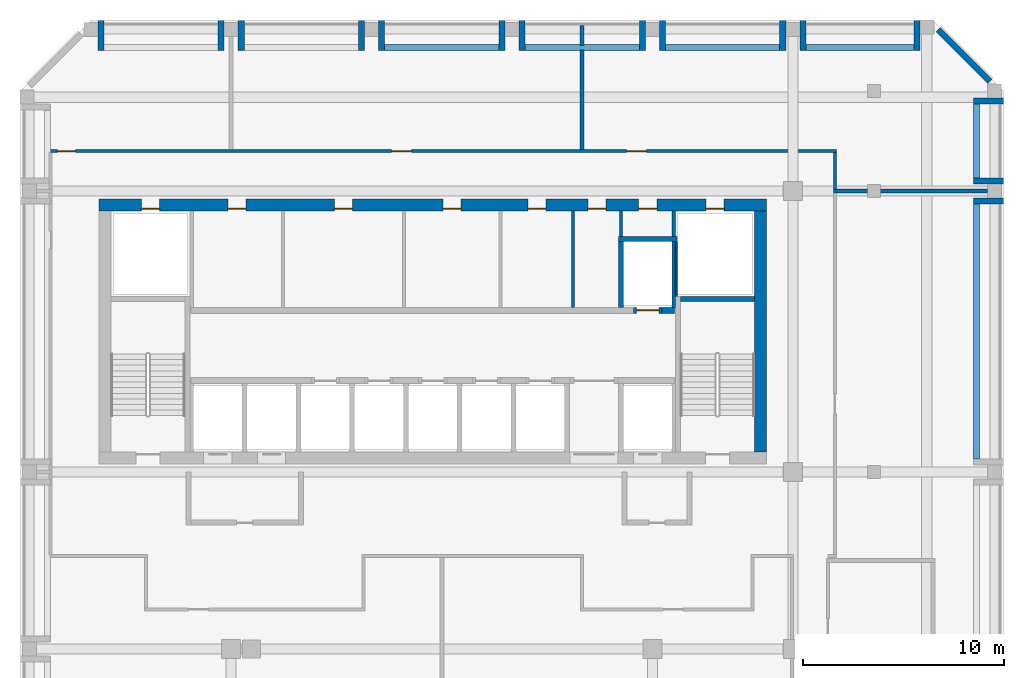
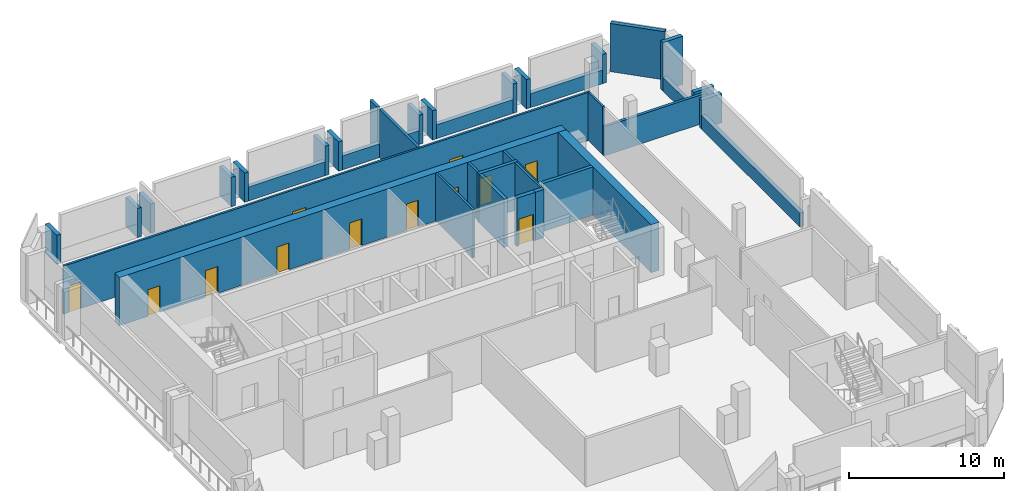
# One storey, part 5 of 7: 39 walls, 12 doors, 12 openings.
"""IFC4 building model written with IfcOpenShell, lengths in metres."""

from ifc_helpers import new_model, si_unit, direction, frame, frame_2d, origin, place, context, subcontext, project, spatial, rectangle, extrude, source, transform, mapped, material, layer, layer_set, type_object, element, fill, save


model = new_model("IFC4")

# Units and contexts
model_context = context("Model", 3, precision=1e-05, world=origin(), true_north=direction((0.0, 1.0)))
body_context = subcontext(model_context, "Body", "Model", "MODEL_VIEW")
ifc_project = project(units=[si_unit("LENGTHUNIT", "METRE"), si_unit("AREAUNIT", "SQUARE_METRE"), si_unit("VOLUMEUNIT", "CUBIC_METRE"), si_unit("PLANEANGLEUNIT", "RADIAN"), si_unit("MASSUNIT", "GRAM", prefix="KILO")], contexts=[model_context])

# Site, building, storey
site_placement = place(None, origin())
site = spatial("IfcSite", under=ifc_project, at=site_placement, CompositionType="ELEMENT")
building_placement = place(site_placement, origin())
building = spatial("IfcBuilding", under=site, at=building_placement, Name="Kilnfold Tower and Market Hall", CompositionType="ELEMENT")
storey_placement = place(building_placement, frame((0.0, 0.0, 262.800048828125)))
storey = spatial("IfcBuildingStorey", under=building, at=storey_placement, Name="L64 Plant Transfer Level", CompositionType="ELEMENT", Elevation=262.800048828125)

# Wall
ifc_material_1 = material(Name="Gypsum board on steel studs", Category="steel")
ifc_layer_1 = layer(ifc_material_1, 0.14990234375)
ifc_layer_set_1 = layer_set([ifc_layer_1], Name="Gypsum board on steel studs")
wall_type_1 = type_object("IfcWallType", Name="WALL CORRIDOR 150", PredefinedType="PARTITIONING", material=ifc_layer_set_1)
wall_1_placement = place(storey_placement, frame((21.10009765625, 22.090087890625, 0.0), z_axis=(0.0, 0.0, 1.0), x_axis=(0.0, 1.0, 0.0)))
element("IfcWall", 1, at=wall_1_placement, inside=storey, type_object=wall_type_1, Name="Partition LY40.16", PredefinedType="PARTITIONING", context=body_context, shape_type="SweptSolid", body=[
    extrude(rectangle(XDim=1.8349609375, YDim=0.14990234375, at=frame_2d((0.91748046875, 0.0))), origin(), (0.0, 0.0, 1.0), 3.800048828125),
])

# Wall, openings, doors
wall_2_placement = place(storey_placement, frame((-18.074951171875, 24.0, 0.0), z_axis=(0.0, 0.0, 1.0), x_axis=(1.0, 0.0, 0.0)))
wall_2 = element("IfcWall", 2, at=wall_2_placement, inside=storey, type_object=wall_type_1, Name="Partition LY40.18", PredefinedType="PARTITIONING", context=body_context, shape_type="SweptSolid", body=[
    extrude(rectangle(XDim=39.25, YDim=0.14990234375, at=frame_2d((19.625, 0.0))), origin(), (0.0, 0.0, 1.0), 3.800048828125),
])
opening_1_placement = place(wall_2_placement, frame((0.402099609375, 0.0, 0.0)))
opening_1 = element("IfcOpeningElement", 3, at=opening_1_placement, cuts=wall_2, Name="Opening D2", PredefinedType="OPENING", context=body_context, shape_type="SweptSolid", body=[
    extrude(rectangle(XDim=0.89990234375, YDim=2.10009765625, at=frame_2d((0.449951171875, 1.050048828125))), frame((0.0, 0.0849609375, 0.0), z_axis=(0.0, -1.0, 0.0), x_axis=(1.0, 0.0, 0.0)), (0.0, 0.0, 1.0), 0.169921875),
])
opening_2_placement = place(wall_2_placement, frame((17.074951171875, 0.0, 0.0)))
opening_2 = element("IfcOpeningElement", 4, at=opening_2_placement, cuts=wall_2, Name="Opening D4", PredefinedType="OPENING", context=body_context, shape_type="SweptSolid", body=[
    extrude(rectangle(XDim=1.0, YDim=2.10009765625, at=frame_2d((0.5, 1.050048828125))), frame((0.0, 0.0849609375, 0.0), z_axis=(0.0, -1.0, 0.0), x_axis=(1.0, 0.0, 0.0)), (0.0, 0.0, 1.0), 0.169921875),
])
opening_3_placement = place(wall_2_placement, frame((28.780029296875, 0.0, 0.0)))
opening_3 = element("IfcOpeningElement", 5, at=opening_3_placement, cuts=wall_2, Name="Opening D4", PredefinedType="OPENING", context=body_context, shape_type="SweptSolid", body=[
    extrude(rectangle(XDim=1.0, YDim=2.10009765625, at=frame_2d((0.5, 1.050048828125))), frame((0.0, 0.0849609375, 0.0), z_axis=(0.0, -1.0, 0.0), x_axis=(1.0, 0.0, 0.0)), (0.0, 0.0, 1.0), 0.169921875),
])
ifc_material_2 = material(Name="Timber veneer door leaf in steel frame", Category="steel")
door_type_1 = type_object("IfcDoorType", Name="DOOR ROOM 900 X2100", OperationType="NOTDEFINED", PredefinedType="DOOR", material=ifc_material_2)
door_1_placement = place(opening_1_placement, origin())
door_1 = element("IfcDoor", 6, at=door_1_placement, inside=storey, type_object=door_type_1, Name="Door D2", OperationType="SINGLE_SWING_RIGHT", OverallHeight=2.10009765625, OverallWidth=0.89990234375, PredefinedType="DOOR", context=body_context, shape_type="SweptSolid", body=[
    extrude(rectangle(XDim=0.89990234375, YDim=2.10009765625, at=frame_2d((0.449951171875, 1.050048828125))), frame((0.0, 0.02490234375, 0.0), z_axis=(0.0, -1.0, 0.0), x_axis=(1.0, 0.0, 0.0)), (0.0, 0.0, 1.0), 0.050048828125),
])
fill(opening_1, door_1)
ifc_material_3 = material(Name="Timber veneer door leaf in steel frame", Category="steel")
door_type_2 = type_object("IfcDoorType", Name="DOOR SERVICE 1000 X2100", OperationType="NOTDEFINED", PredefinedType="DOOR", material=ifc_material_3)
door_2_placement = place(opening_2_placement, origin())
door_2 = element("IfcDoor", 7, at=door_2_placement, inside=storey, type_object=door_type_2, Name="Door D4", OperationType="SINGLE_SWING_RIGHT", OverallHeight=2.10009765625, OverallWidth=1.0, PredefinedType="DOOR", context=body_context, shape_type="SweptSolid", body=[
    extrude(rectangle(XDim=1.0, YDim=2.10009765625, at=frame_2d((0.5, 1.050048828125))), frame((0.0, 0.02490234375, 0.0), z_axis=(0.0, -1.0, 0.0), x_axis=(1.0, 0.0, 0.0)), (0.0, 0.0, 1.0), 0.050048828125),
])
fill(opening_2, door_2)
door_3_placement = place(opening_3_placement, origin())
door_3 = element("IfcDoor", 8, at=door_3_placement, inside=storey, type_object=door_type_2, Name="Door D4", OperationType="SINGLE_SWING_LEFT", OverallHeight=2.10009765625, OverallWidth=1.0, PredefinedType="DOOR", context=body_context, shape_type="SweptSolid", body=[
    extrude(rectangle(XDim=1.0, YDim=2.10009765625, at=frame_2d((0.5, 1.050048828125))), frame((0.0, 0.02490234375, 0.0), z_axis=(0.0, -1.0, 0.0), x_axis=(1.0, 0.0, 0.0)), (0.0, 0.0, 1.0), 0.050048828125),
])
fill(opening_3, door_3)

# Walls
ifc_material_4 = material(Name="Gypsum board on steel studs", Category="steel")
ifc_layer_2 = layer(ifc_material_4, 0.199951171875)
ifc_layer_set_2 = layer_set([ifc_layer_2], Name="Gypsum board on steel studs")
wall_type_2 = type_object("IfcWallType", Name="WALL PARTY 200", PredefinedType="PARTITIONING", material=ifc_layer_set_2)
wall_3_placement = place(storey_placement, frame((21.027099609375, 22.0, 0.0), z_axis=(0.0, 0.0, 1.0), x_axis=(1.0, 0.0, 0.0)))
element("IfcWall", 9, at=wall_3_placement, inside=storey, type_object=wall_type_2, Name="Partition LY40.29", PredefinedType="PARTITIONING", context=body_context, shape_type="SweptSolid", body=[
    extrude(rectangle(XDim=7.6728515625, YDim=0.199951171875, at=frame_2d((3.83642578125, 0.0))), origin(), (0.0, 0.0, 1.0), 2.300048828125),
])
wall_4_placement = place(storey_placement, frame((8.5, 24.076904296875, 0.0), z_axis=(0.0, 0.0, 1.0), x_axis=(0.0, 1.0, 0.0)))
element("IfcWall", 10, at=wall_4_placement, inside=storey, type_object=wall_type_2, Name="Partition LY40.30", PredefinedType="PARTITIONING", context=body_context, shape_type="SweptSolid", body=[
    extrude(rectangle(XDim=4.953125, YDim=0.199951171875, at=frame_2d((2.4765625, 0.0))), origin(), (0.0, 0.0, 1.0), 3.800048828125),
])
wall_5_placement = place(storey_placement, frame((8.5, 29.27001953125, 0.0), z_axis=(0.0, 0.0, 1.0), x_axis=(0.0, 1.0, 0.0)))
element("IfcWall", 11, at=wall_5_placement, inside=storey, type_object=wall_type_2, Name="Partition LY40.31", PredefinedType="PARTITIONING", context=body_context, shape_type="SweptSolid", body=[
    extrude(rectangle(XDim=0.97998046875, YDim=0.199951171875, at=frame_2d((0.489990234375, 0.0))), origin(), (0.0, 0.0, 1.0), 3.800048828125),
])
ifc_material_5 = material(Name="Concrete C50", Category="concrete")
ifc_layer_3 = layer(ifc_material_5, 0.25)
ifc_layer_set_3 = layer_set([ifc_layer_3], Name="Concrete C50")
wall_type_3 = type_object("IfcWallType", Name="CORE WALL 250 C50", PredefinedType="SHEAR", material=ifc_layer_set_3)
shared_shape_1 = source(origin(), body_context, "Body", "SweptSolid", [
    extrude(rectangle(XDim=3.7001953125, YDim=0.25, at=frame_2d((1.85009765625, 0.0))), origin(), (0.0, 0.0, 1.0), 3.800048828125),
])
wall_6_placement = place(storey_placement, frame((13.39990234375, 16.625, 0.0), z_axis=(0.0, 0.0, 1.0), x_axis=(1.0, 0.0, 0.0)))
element("IfcWall", 12, at=wall_6_placement, inside=storey, type_object=wall_type_3, Name="Stair enclosure ST2", PredefinedType="SHEAR", context=body_context, shape_type="MappedRepresentation", body=[
    mapped(shared_shape_1, transform((0.0, 0.0, 0.0))),
])
ifc_material_6 = material(Name="Concrete C50", Category="concrete")
ifc_layer_4 = layer(ifc_material_6, 0.300048828125)
ifc_layer_set_4 = layer_set([ifc_layer_4], Name="Concrete C50")
wall_type_4 = type_object("IfcWallType", Name="CORE WALL 300 C50", PredefinedType="SHEAR", material=ifc_layer_set_4)
shared_shape_2 = source(origin(), body_context, "Body", "SweptSolid", [
    extrude(rectangle(XDim=0.64013671875, YDim=0.300048828125, at=frame_2d((0.320068359375, 0.0))), origin(), (0.0, 0.0, 1.0), 3.800048828125),
])
wall_7_placement = place(storey_placement, frame((12.469970703125, 16.050048828125, 0.0), z_axis=(0.0, 0.0, 1.0), x_axis=(1.0, 0.0, 0.0)))
element("IfcWall", 13, at=wall_7_placement, inside=storey, type_object=wall_type_4, Name="Core spine wall", PredefinedType="SHEAR", context=body_context, shape_type="MappedRepresentation", body=[
    mapped(shared_shape_2, transform((0.0, 0.0, 0.0))),
])

# Wall, openings, doors
ifc_material_7 = material(Name="Concrete C50", Category="concrete")
ifc_layer_5 = layer(ifc_material_7, 0.60009765625)
ifc_layer_set_5 = layer_set([ifc_layer_5], Name="Concrete C50")
wall_type_5 = type_object("IfcWallType", Name="CORE WALL 600 C50", PredefinedType="SHEAR", material=ifc_layer_set_5)
shared_shape_3 = source(origin(), body_context, "Body", "SweptSolid", [
    extrude(rectangle(XDim=33.300048828125, YDim=0.60009765625, at=frame_2d((16.64990234375, 0.0))), origin(), (0.0, 0.0, 1.0), 3.800048828125),
])
wall_8_placement = place(storey_placement, frame((-15.60009765625, 21.300048828125, 0.0), z_axis=(0.0, 0.0, 1.0), x_axis=(1.0, 0.0, 0.0)))
wall_8 = element("IfcWall", 14, at=wall_8_placement, inside=storey, type_object=wall_type_5, Name="Core outer wall north", PredefinedType="SHEAR", context=body_context, shape_type="MappedRepresentation", body=[
    mapped(shared_shape_3, transform((0.0, 0.0, 0.0))),
])
opening_4_placement = place(wall_8_placement, frame((6.431396484375, 0.0, 0.0)))
opening_4 = element("IfcOpeningElement", 15, at=opening_4_placement, cuts=wall_8, Name="Opening KD1", PredefinedType="OPENING", context=body_context, shape_type="SweptSolid", body=[
    extrude(rectangle(XDim=0.89990234375, YDim=2.10009765625, at=frame_2d((0.449951171875, 1.050048828125))), frame((0.0, 0.31005859375, 0.0), z_axis=(0.0, -1.0, 0.0), x_axis=(1.0, 0.0, 0.0)), (0.0, 0.0, 1.0), 0.6201171875),
])
opening_5_placement = place(wall_8_placement, frame((11.73779296875, 0.0, 0.0)))
opening_5 = element("IfcOpeningElement", 16, at=opening_5_placement, cuts=wall_8, Name="Opening KD1", PredefinedType="OPENING", context=body_context, shape_type="SweptSolid", body=[
    extrude(rectangle(XDim=0.89990234375, YDim=2.10009765625, at=frame_2d((0.449951171875, 1.050048828125))), frame((0.0, 0.31005859375, 0.0), z_axis=(0.0, -1.0, 0.0), x_axis=(1.0, 0.0, 0.0)), (0.0, 0.0, 1.0), 0.6201171875),
])
opening_6_placement = place(wall_8_placement, frame((17.164794921875, 0.0, 0.0)))
opening_6 = element("IfcOpeningElement", 17, at=opening_6_placement, cuts=wall_8, Name="Opening KD1", PredefinedType="OPENING", context=body_context, shape_type="SweptSolid", body=[
    extrude(rectangle(XDim=0.89990234375, YDim=2.10009765625, at=frame_2d((0.449951171875, 1.050048828125))), frame((0.0, 0.31005859375, 0.0), z_axis=(0.0, -1.0, 0.0), x_axis=(1.0, 0.0, 0.0)), (0.0, 0.0, 1.0), 0.6201171875),
])
opening_7_placement = place(wall_8_placement, frame((21.3857421875, 0.0, 0.0)))
opening_7 = element("IfcOpeningElement", 18, at=opening_7_placement, cuts=wall_8, Name="Opening KD1", PredefinedType="OPENING", context=body_context, shape_type="SweptSolid", body=[
    extrude(rectangle(XDim=0.89990234375, YDim=2.10009765625, at=frame_2d((0.449951171875, 1.050048828125))), frame((0.0, 0.31005859375, 0.0), z_axis=(0.0, -1.0, 0.0), x_axis=(1.0, 0.0, 0.0)), (0.0, 0.0, 1.0), 0.6201171875),
])
opening_8_placement = place(wall_8_placement, frame((24.387451171875, 0.0, 0.0)))
opening_8 = element("IfcOpeningElement", 19, at=opening_8_placement, cuts=wall_8, Name="Opening KD1", PredefinedType="OPENING", context=body_context, shape_type="SweptSolid", body=[
    extrude(rectangle(XDim=0.89990234375, YDim=2.10009765625, at=frame_2d((0.449951171875, 1.050048828125))), frame((0.0, 0.31005859375, 0.0), z_axis=(0.0, -1.0, 0.0), x_axis=(1.0, 0.0, 0.0)), (0.0, 0.0, 1.0), 0.6201171875),
])
opening_9_placement = place(wall_8_placement, frame((26.919921875, 0.0, 0.0)))
opening_9 = element("IfcOpeningElement", 20, at=opening_9_placement, cuts=wall_8, Name="Opening KD1", PredefinedType="OPENING", context=body_context, shape_type="SweptSolid", body=[
    extrude(rectangle(XDim=0.89990234375, YDim=2.10009765625, at=frame_2d((0.449951171875, 1.050048828125))), frame((0.0, 0.31005859375, 0.0), z_axis=(0.0, -1.0, 0.0), x_axis=(1.0, 0.0, 0.0)), (0.0, 0.0, 1.0), 0.6201171875),
])
opening_10_placement = place(wall_8_placement, frame((2.125, 0.0, 0.0)))
opening_10 = element("IfcOpeningElement", 21, at=opening_10_placement, cuts=wall_8, Name="Opening KD1", PredefinedType="OPENING", context=body_context, shape_type="SweptSolid", body=[
    extrude(rectangle(XDim=0.89990234375, YDim=2.10009765625, at=frame_2d((0.449951171875, 1.050048828125))), frame((0.0, 0.31005859375, 0.0), z_axis=(0.0, -1.0, 0.0), x_axis=(1.0, 0.0, 0.0)), (0.0, 0.0, 1.0), 0.6201171875),
])
opening_11_placement = place(wall_8_placement, frame((30.27490234375, 0.0, 0.0)))
opening_11 = element("IfcOpeningElement", 22, at=opening_11_placement, cuts=wall_8, Name="Opening KD1", PredefinedType="OPENING", context=body_context, shape_type="SweptSolid", body=[
    extrude(rectangle(XDim=0.89990234375, YDim=2.10009765625, at=frame_2d((0.449951171875, 1.050048828125))), frame((0.0, 0.31005859375, 0.0), z_axis=(0.0, -1.0, 0.0), x_axis=(1.0, 0.0, 0.0)), (0.0, 0.0, 1.0), 0.6201171875),
])
ifc_material_8 = material(Name="Steel door set with fire-resisting leaf", Category="steel")
door_type_3 = type_object("IfcDoorType", Name="SERVICE DOOR 900X2100", OperationType="NOTDEFINED", PredefinedType="DOOR", material=ifc_material_8)
door_4_placement = place(opening_4_placement, origin())
door_4 = element("IfcDoor", 23, at=door_4_placement, inside=storey, type_object=door_type_3, Name="Core service door", OperationType="SINGLE_SWING_RIGHT", OverallHeight=2.10009765625, OverallWidth=0.89990234375, PredefinedType="DOOR", context=body_context, shape_type="SweptSolid", body=[
    extrude(rectangle(XDim=0.89990234375, YDim=2.10009765625, at=frame_2d((0.449951171875, 1.050048828125))), frame((0.0, -0.15478515625, 0.0), z_axis=(0.0, -1.0, 0.0), x_axis=(1.0, 0.0, 0.0)), (0.0, 0.0, 1.0), 0.050048828125),
])
fill(opening_4, door_4)
door_5_placement = place(opening_5_placement, origin())
door_5 = element("IfcDoor", 24, at=door_5_placement, inside=storey, type_object=door_type_3, Name="Core service door", OperationType="SINGLE_SWING_LEFT", OverallHeight=2.10009765625, OverallWidth=0.89990234375, PredefinedType="DOOR", context=body_context, shape_type="SweptSolid", body=[
    extrude(rectangle(XDim=0.89990234375, YDim=2.10009765625, at=frame_2d((0.449951171875, 1.050048828125))), frame((0.0, -0.15478515625, 0.0), z_axis=(0.0, -1.0, 0.0), x_axis=(1.0, 0.0, 0.0)), (0.0, 0.0, 1.0), 0.050048828125),
])
fill(opening_5, door_5)
door_6_placement = place(opening_6_placement, origin())
door_6 = element("IfcDoor", 25, at=door_6_placement, inside=storey, type_object=door_type_3, Name="Core service door", OperationType="SINGLE_SWING_RIGHT", OverallHeight=2.10009765625, OverallWidth=0.89990234375, PredefinedType="DOOR", context=body_context, shape_type="SweptSolid", body=[
    extrude(rectangle(XDim=0.89990234375, YDim=2.10009765625, at=frame_2d((0.449951171875, 1.050048828125))), frame((0.0, -0.15478515625, 0.0), z_axis=(0.0, -1.0, 0.0), x_axis=(1.0, 0.0, 0.0)), (0.0, 0.0, 1.0), 0.050048828125),
])
fill(opening_6, door_6)
door_7_placement = place(opening_7_placement, origin())
door_7 = element("IfcDoor", 26, at=door_7_placement, inside=storey, type_object=door_type_3, Name="Core service door", OperationType="SINGLE_SWING_LEFT", OverallHeight=2.10009765625, OverallWidth=0.89990234375, PredefinedType="DOOR", context=body_context, shape_type="SweptSolid", body=[
    extrude(rectangle(XDim=0.89990234375, YDim=2.10009765625, at=frame_2d((0.449951171875, 1.050048828125))), frame((0.0, -0.15478515625, 0.0), z_axis=(0.0, -1.0, 0.0), x_axis=(1.0, 0.0, 0.0)), (0.0, 0.0, 1.0), 0.050048828125),
])
fill(opening_7, door_7)
door_8_placement = place(opening_8_placement, origin())
door_8 = element("IfcDoor", 27, at=door_8_placement, inside=storey, type_object=door_type_3, Name="Core service door", OperationType="SINGLE_SWING_RIGHT", OverallHeight=2.10009765625, OverallWidth=0.89990234375, PredefinedType="DOOR", context=body_context, shape_type="SweptSolid", body=[
    extrude(rectangle(XDim=0.89990234375, YDim=2.10009765625, at=frame_2d((0.449951171875, 1.050048828125))), frame((0.0, -0.15478515625, 0.0), z_axis=(0.0, -1.0, 0.0), x_axis=(1.0, 0.0, 0.0)), (0.0, 0.0, 1.0), 0.050048828125),
])
fill(opening_8, door_8)
door_9_placement = place(opening_9_placement, origin())
door_9 = element("IfcDoor", 28, at=door_9_placement, inside=storey, type_object=door_type_3, Name="Core service door", OperationType="SINGLE_SWING_LEFT", OverallHeight=2.10009765625, OverallWidth=0.89990234375, PredefinedType="DOOR", context=body_context, shape_type="SweptSolid", body=[
    extrude(rectangle(XDim=0.89990234375, YDim=2.10009765625, at=frame_2d((0.449951171875, 1.050048828125))), frame((0.0, -0.15478515625, 0.0), z_axis=(0.0, -1.0, 0.0), x_axis=(1.0, 0.0, 0.0)), (0.0, 0.0, 1.0), 0.050048828125),
])
fill(opening_9, door_9)
door_10_placement = place(opening_10_placement, origin())
door_10 = element("IfcDoor", 29, at=door_10_placement, inside=storey, type_object=door_type_3, Name="Electrical riser access door", OperationType="SINGLE_SWING_RIGHT", OverallHeight=2.10009765625, OverallWidth=0.89990234375, PredefinedType="DOOR", context=body_context, shape_type="SweptSolid", body=[
    extrude(rectangle(XDim=0.89990234375, YDim=2.10009765625, at=frame_2d((0.449951171875, 1.050048828125))), frame((0.0, -0.15478515625, 0.0), z_axis=(0.0, -1.0, 0.0), x_axis=(1.0, 0.0, 0.0)), (0.0, 0.0, 1.0), 0.050048828125),
])
fill(opening_10, door_10)
door_11_placement = place(opening_11_placement, origin())
door_11 = element("IfcDoor", 30, at=door_11_placement, inside=storey, type_object=door_type_3, Name="Mechanical riser access door", OperationType="SINGLE_SWING_LEFT", OverallHeight=2.10009765625, OverallWidth=0.89990234375, PredefinedType="DOOR", context=body_context, shape_type="SweptSolid", body=[
    extrude(rectangle(XDim=0.89990234375, YDim=2.10009765625, at=frame_2d((0.449951171875, 1.050048828125))), frame((0.0, -0.15478515625, 0.0), z_axis=(0.0, -1.0, 0.0), x_axis=(1.0, 0.0, 0.0)), (0.0, 0.0, 1.0), 0.050048828125),
])
fill(opening_11, door_11)

# Walls
shared_shape_4 = source(origin(), body_context, "Body", "SweptSolid", [
    extrude(rectangle(XDim=12.0, YDim=0.60009765625, at=frame_2d((6.0, 0.0))), origin(), (0.0, 0.0, 1.0), 3.800048828125),
])
wall_9_placement = place(storey_placement, frame((17.39990234375, 9.0, 0.0), z_axis=(0.0, 0.0, 1.0), x_axis=(0.0, 1.0, 0.0)))
element("IfcWall", 31, at=wall_9_placement, inside=storey, type_object=wall_type_5, Name="Core outer wall east", PredefinedType="SHEAR", context=body_context, shape_type="MappedRepresentation", body=[
    mapped(shared_shape_4, transform((0.0, 0.0, 0.0))),
])
ifc_material_9 = material(Name="Precast concrete C50/60", Category="concrete")
ifc_layer_6 = layer(ifc_material_9, 0.300048828125)
ifc_layer_set_6 = layer_set([ifc_layer_6], Name="Precast concrete C50/60")
wall_type_6 = type_object("IfcWallType", Name="PRECAST WALL 300", PredefinedType="SOLIDWALL", material=ifc_layer_set_6)
shared_shape_5 = source(origin(), body_context, "Body", "SweptSolid", [
    extrude(rectangle(XDim=1.5, YDim=0.300048828125, at=frame_2d((0.75, 0.0))), origin(), (0.0, 0.0, 1.0), 2.300048828125),
])
for number, where, z_axis, x_axis, name in (
    (32, (29.5, 21.5, 0.0), (0.0, 0.0, 1.0), (-1.0, 0.0, 0.0), "Plant wall L64 E"),
    (33, (29.5, 22.5, 0.0), (0.0, 0.0, 1.0), (-1.0, 0.0, 0.0), "Plant wall L64 E"),
    (34, (25.181884765625, 30.5, 0.0), (0.0, 0.0, 1.0), (0.0, -1.0, 0.0), "Plant wall L64 N"),
    (35, (19.5, 30.5, 0.0), (0.0, 0.0, 1.0), (0.0, -1.0, 0.0), "Plant wall L64 N"),
    (36, (18.5, 30.5, 0.0), (0.0, 0.0, 1.0), (0.0, -1.0, 0.0), "Plant wall L64 N"),
    (37, (12.5, 30.5, 0.0), (0.0, 0.0, 1.0), (0.0, -1.0, 0.0), "Plant wall L64 N"),
    (38, (11.5, 30.5, 0.0), (0.0, 0.0, 1.0), (0.0, -1.0, 0.0), "Plant wall L64 N"),
    (39, (5.5, 30.5, 0.0), (0.0, 0.0, 1.0), (0.0, -1.0, 0.0), "Plant wall L64 N"),
    (40, (4.5, 30.5, 0.0), (0.0, 0.0, 1.0), (0.0, -1.0, 0.0), "Plant wall L64 N"),
    (41, (-1.5, 30.5, 0.0), (0.0, 0.0, 1.0), (0.0, -1.0, 0.0), "Plant wall L64 N"),
    (42, (-2.5, 30.5, 0.0), (0.0, 0.0, 1.0), (0.0, -1.0, 0.0), "Plant wall L64 N"),
    (43, (-8.5, 30.5, 0.0), (0.0, 0.0, 1.0), (0.0, -1.0, 0.0), "Plant wall L64 N"),
    (44, (-9.5, 30.5, 0.0), (0.0, 0.0, 1.0), (0.0, -1.0, 0.0), "Plant wall L64 N"),
    (45, (-15.5, 30.5, 0.0), (0.0, 0.0, 1.0), (0.0, -1.0, 0.0), "Plant wall L64 N"),
):
    element("IfcWall", number, at=place(storey_placement, frame(where, z_axis=z_axis, x_axis=x_axis)), inside=storey, type_object=wall_type_6, Name=name, PredefinedType="SOLIDWALL", context=body_context, shape_type="MappedRepresentation", body=[
        mapped(shared_shape_5, transform((0.0, 0.0, 0.0))),
    ])
shared_shape_6 = source(origin(), body_context, "Body", "SweptSolid", [
    extrude(rectangle(XDim=1.5, YDim=0.300048828125, at=frame_2d((0.75, 0.0))), origin(), (0.0, 0.0, 1.0), 3.800048828125),
])
wall_10_placement = place(storey_placement, frame((29.5, 26.5, 0.0), z_axis=(0.0, 0.0, 1.0), x_axis=(-1.0, 0.0, 0.0)))
element("IfcWall", 46, at=wall_10_placement, inside=storey, type_object=wall_type_6, Name="Plant wall L64 E", PredefinedType="SOLIDWALL", context=body_context, shape_type="MappedRepresentation", body=[
    mapped(shared_shape_6, transform((0.0, 0.0, 0.0))),
])
shared_shape_7 = source(origin(), body_context, "Body", "SweptSolid", [
    extrude(rectangle(XDim=5.7001953125, YDim=0.300048828125, at=frame_2d((2.85009765625, 0.0))), origin(), (0.0, 0.0, 1.0), 1.099853515625),
])
for number, where, z_axis, x_axis, name in (
    (47, (18.35009765625, 29.14990234375, 0.0), (0.0, 0.0, 1.0), (-1.0, 0.0, 0.0), "Knee wall L64 N"),
    (48, (11.35009765625, 29.14990234375, 0.0), (0.0, 0.0, 1.0), (-1.0, 0.0, 0.0), "Knee wall L64 N"),
    (49, (4.35009765625, 29.14990234375, 0.0), (0.0, 0.0, 1.0), (-1.0, 0.0, 0.0), "Knee wall L64 N"),
):
    element("IfcWall", number, at=place(storey_placement, frame(where, z_axis=z_axis, x_axis=x_axis)), inside=storey, type_object=wall_type_6, Name=name, PredefinedType="SOLIDWALL", context=body_context, shape_type="MappedRepresentation", body=[
        mapped(shared_shape_7, transform((0.0, 0.0, 0.0))),
    ])
shared_shape_8 = source(origin(), body_context, "Body", "SweptSolid", [
    extrude(rectangle(XDim=12.7001953125, YDim=0.300048828125, at=frame_2d((6.35009765625, 0.0))), origin(), (0.0, 0.0, 1.0), 1.099853515625),
])
wall_11_placement = place(storey_placement, frame((28.14990234375, 8.64990234375, 0.0), z_axis=(0.0, 0.0, 1.0), x_axis=(0.0, 1.0, 0.0)))
element("IfcWall", 50, at=wall_11_placement, inside=storey, type_object=wall_type_6, Name="Knee wall L64 E", PredefinedType="SOLIDWALL", context=body_context, shape_type="MappedRepresentation", body=[
    mapped(shared_shape_8, transform((0.0, 0.0, 0.0))),
])
shared_shape_9 = source(origin(), body_context, "Body", "SweptSolid", [
    extrude(rectangle(XDim=3.7001953125, YDim=0.300048828125, at=frame_2d((1.85009765625, 0.0))), origin(), (0.0, 0.0, 1.0), 1.099853515625),
])
wall_12_placement = place(storey_placement, frame((28.14990234375, 22.64990234375, 0.0), z_axis=(0.0, 0.0, 1.0), x_axis=(0.0, 1.0, 0.0)))
element("IfcWall", 51, at=wall_12_placement, inside=storey, type_object=wall_type_6, Name="Knee wall L64 E", PredefinedType="SOLIDWALL", context=body_context, shape_type="MappedRepresentation", body=[
    mapped(shared_shape_9, transform((0.0, 0.0, 0.0))),
])
shared_shape_10 = source(origin(), body_context, "Body", "SweptSolid", [
    extrude(rectangle(XDim=3.6416015625, YDim=0.300048828125, at=frame_2d((1.82080078125, 0.0))), origin(), (0.0, 0.0, 1.0), 3.800048828125),
])
wall_13_placement = place(storey_placement, frame((28.81884765625, 27.468994140625, 0.0), z_axis=(0.0, 0.0, 1.0), x_axis=(-0.707106781187, 0.707106781187, 0.0)))
element("IfcWall", 52, at=wall_13_placement, inside=storey, type_object=wall_type_6, Name="Plant wall L64 NE", PredefinedType="SOLIDWALL", context=body_context, shape_type="MappedRepresentation", body=[
    mapped(shared_shape_10, transform((0.0, 0.0, 0.0))),
])
shared_shape_11 = source(origin(), body_context, "Body", "SweptSolid", [
    extrude(rectangle(XDim=5.3818359375, YDim=0.300048828125, at=frame_2d((2.69091796875, 0.0))), origin(), (0.0, 0.0, 1.0), 1.099853515625),
])
wall_14_placement = place(storey_placement, frame((25.03173828125, 29.14990234375, 0.0), z_axis=(0.0, 0.0, 1.0), x_axis=(-1.0, 0.0, 0.0)))
element("IfcWall", 53, at=wall_14_placement, inside=storey, type_object=wall_type_6, Name="Knee wall L64 N", PredefinedType="SOLIDWALL", context=body_context, shape_type="MappedRepresentation", body=[
    mapped(shared_shape_11, transform((0.0, 0.0, 0.0))),
])

# Wall, opening, door
ifc_material_10 = material(Name="Gypsum shaft wall system")
ifc_layer_7 = layer(ifc_material_10, 0.300048828125)
ifc_layer_set_7 = layer_set([ifc_layer_7], Name="Gypsum shaft wall system")
wall_type_7 = type_object("IfcWallType", Name="SHAFT WALL 300", PredefinedType="PARTITIONING", material=ifc_layer_set_7)
shared_shape_12 = source(origin(), body_context, "Body", "SweptSolid", [
    extrude(rectangle(XDim=1.39990234375, YDim=0.300048828125, at=frame_2d((0.699951171875, 0.0))), origin(), (0.0, 0.0, 1.0), 3.800048828125),
])
wall_15_placement = place(storey_placement, frame((11.070068359375, 16.050048828125, 0.0), z_axis=(0.0, 0.0, 1.0), x_axis=(1.0, 0.0, 0.0)))
wall_15 = element("IfcWall", 54, at=wall_15_placement, inside=storey, type_object=wall_type_7, Name="Lift shaft front wall", PredefinedType="PARTITIONING", context=body_context, shape_type="MappedRepresentation", body=[
    mapped(shared_shape_12, transform((0.0, 0.0, 0.0))),
])
opening_12_placement = place(wall_15_placement, frame((0.14990234375, 0.0, 0.0)))
opening_12 = element("IfcOpeningElement", 55, at=opening_12_placement, cuts=wall_15, Name="Opening LD2", PredefinedType="OPENING", context=body_context, shape_type="SweptSolid", body=[
    extrude(rectangle(XDim=1.10009765625, YDim=2.10009765625, at=frame_2d((0.550048828125, 1.050048828125))), frame((0.0, 0.16015625, 0.0), z_axis=(0.0, -1.0, 0.0), x_axis=(1.0, 0.0, 0.0)), (0.0, 0.0, 1.0), 0.320068359375),
])
ifc_material_11 = material(Name="Steel door set with fire-resisting leaf", Category="steel")
door_type_4 = type_object("IfcDoorType", Name="LANDING DOOR 1100X2100", OperationType="NOTDEFINED", PredefinedType="DOOR", material=ifc_material_11)
door_12_placement = place(opening_12_placement, origin())
door_12 = element("IfcDoor", 56, at=door_12_placement, inside=storey, type_object=door_type_4, Name="Landing door HR6", OperationType="DOUBLE_DOOR_SLIDING", OverallHeight=2.10009765625, OverallWidth=1.10009765625, PredefinedType="DOOR", context=body_context, shape_type="SweptSolid", body=[
    extrude(rectangle(XDim=1.10009765625, YDim=2.10009765625, at=frame_2d((0.550048828125, 1.050048828125))), frame((0.0, 0.02490234375, 0.0), z_axis=(0.0, -1.0, 0.0), x_axis=(1.0, 0.0, 0.0)), (0.0, 0.0, 1.0), 0.050048828125),
])
fill(opening_12, door_12)

# Walls
ifc_material_12 = material(Name="Gypsum shaft wall system")
ifc_layer_8 = layer(ifc_material_12, 0.1650390625)
ifc_layer_set_8 = layer_set([ifc_layer_8], Name="Gypsum shaft wall system")
wall_type_8 = type_object("IfcWallType", Name="SHAFT WALL 165", PredefinedType="PARTITIONING", material=ifc_layer_set_8)
shared_shape_13 = source(origin(), body_context, "Body", "SweptSolid", [
    extrude(rectangle(XDim=3.275146484375, YDim=0.1650390625, at=frame_2d((1.6376953125, 0.0))), origin(), (0.0, 0.0, 1.0), 3.800048828125),
])
wall_16_placement = place(storey_placement, frame((13.0673828125, 16.199951171875, 0.0), z_axis=(0.0, 0.0, 1.0), x_axis=(0.0, 1.0, 0.0)))
element("IfcWall", 57, at=wall_16_placement, inside=storey, type_object=wall_type_8, Name="Lift shaft wall", PredefinedType="PARTITIONING", context=body_context, shape_type="MappedRepresentation", body=[
    mapped(shared_shape_13, transform((0.0, 0.0, 0.0))),
])
shared_shape_14 = source(origin(), body_context, "Body", "SweptSolid", [
    extrude(rectangle(XDim=1.27490234375, YDim=0.1650390625, at=frame_2d((0.637451171875, 0.0))), origin(), (0.0, 0.0, 1.0), 3.800048828125),
])
wall_17_placement = place(storey_placement, frame((13.0673828125, 19.72509765625, 0.0), z_axis=(0.0, 0.0, 1.0), x_axis=(0.0, 1.0, 0.0)))
element("IfcWall", 58, at=wall_17_placement, inside=storey, type_object=wall_type_8, Name="Lift shaft wall", PredefinedType="PARTITIONING", context=body_context, shape_type="MappedRepresentation", body=[
    mapped(shared_shape_14, transform((0.0, 0.0, 0.0))),
])
ifc_material_13 = material(Name="Gypsum shaft wall system")
ifc_layer_9 = layer(ifc_material_13, 0.25)
ifc_layer_set_9 = layer_set([ifc_layer_9], Name="Gypsum shaft wall system")
wall_type_9 = type_object("IfcWallType", Name="SHAFT WALL 250", PredefinedType="PARTITIONING", material=ifc_layer_set_9)
shared_shape_15 = source(origin(), body_context, "Body", "SweptSolid", [
    extrude(rectangle(XDim=3.275146484375, YDim=0.25, at=frame_2d((1.6376953125, 0.0))), origin(), (0.0, 0.0, 1.0), 3.800048828125),
])
wall_18_placement = place(storey_placement, frame((10.429931640625, 16.199951171875, 0.0), z_axis=(0.0, 0.0, 1.0), x_axis=(0.0, 1.0, 0.0)))
element("IfcWall", 59, at=wall_18_placement, inside=storey, type_object=wall_type_9, Name="Lift shaft wall", PredefinedType="PARTITIONING", context=body_context, shape_type="MappedRepresentation", body=[
    mapped(shared_shape_15, transform((0.0, 0.0, 0.0))),
])
ifc_material_14 = material(Name="Gypsum shaft wall system")
ifc_layer_10 = layer(ifc_material_14, 0.0849609375)
ifc_layer_set_10 = layer_set([ifc_layer_10], Name="Gypsum shaft wall system")
wall_type_10 = type_object("IfcWallType", Name="SHAFT WALL 85", PredefinedType="PARTITIONING", material=ifc_layer_set_10)
shared_shape_16 = source(origin(), body_context, "Body", "SweptSolid", [
    extrude(rectangle(XDim=2.72509765625, YDim=0.0849609375, at=frame_2d((1.362548828125, 0.0))), origin(), (0.0, 0.0, 1.0), 3.800048828125),
])
wall_19_placement = place(storey_placement, frame((13.1923828125, 16.75, 0.0), z_axis=(0.0, 0.0, 1.0), x_axis=(0.0, 1.0, 0.0)))
element("IfcWall", 60, at=wall_19_placement, inside=storey, type_object=wall_type_10, Name="Lift shaft wall", PredefinedType="PARTITIONING", context=body_context, shape_type="MappedRepresentation", body=[
    mapped(shared_shape_16, transform((0.0, 0.0, 0.0))),
])
ifc_material_15 = material(Name="Gypsum shaft wall system")
ifc_layer_11 = layer(ifc_material_15, 0.14990234375)
ifc_layer_set_11 = layer_set([ifc_layer_11], Name="Gypsum shaft wall system")
wall_type_11 = type_object("IfcWallType", Name="ROOM WALL 150", PredefinedType="PARTITIONING", material=ifc_layer_set_11)
shared_shape_17 = source(origin(), body_context, "Body", "SweptSolid", [
    extrude(rectangle(XDim=1.27490234375, YDim=0.14990234375, at=frame_2d((0.637451171875, 0.0))), origin(), (0.0, 0.0, 1.0), 3.800048828125),
])
wall_20_placement = place(storey_placement, frame((10.429931640625, 19.72509765625, 0.0), z_axis=(0.0, 0.0, 1.0), x_axis=(0.0, 1.0, 0.0)))
element("IfcWall", 61, at=wall_20_placement, inside=storey, type_object=wall_type_11, Name="Core room wall", PredefinedType="PARTITIONING", context=body_context, shape_type="MappedRepresentation", body=[
    mapped(shared_shape_17, transform((0.0, 0.0, 0.0))),
])
shared_shape_18 = source(origin(), body_context, "Body", "SweptSolid", [
    extrude(rectangle(XDim=4.800048828125, YDim=0.14990234375, at=frame_2d((2.39990234375, 0.0))), origin(), (0.0, 0.0, 1.0), 3.800048828125),
])
wall_21_placement = place(storey_placement, frame((8.044921875, 16.199951171875, 0.0), z_axis=(0.0, 0.0, 1.0), x_axis=(0.0, 1.0, 0.0)))
element("IfcWall", 62, at=wall_21_placement, inside=storey, type_object=wall_type_11, Name="Core room wall", PredefinedType="PARTITIONING", context=body_context, shape_type="MappedRepresentation", body=[
    mapped(shared_shape_18, transform((0.0, 0.0, 0.0))),
])
shared_shape_19 = source(origin(), body_context, "Body", "SweptSolid", [
    extrude(rectangle(XDim=2.93017578125, YDim=0.25, at=frame_2d((1.465087890625, 0.0))), origin(), (0.0, 0.0, 1.0), 3.800048828125),
])
wall_22_placement = place(storey_placement, frame((10.304931640625, 19.60009765625, 0.0), z_axis=(0.0, 0.0, 1.0), x_axis=(1.0, 0.0, 0.0)))
element("IfcWall", 63, at=wall_22_placement, inside=storey, type_object=wall_type_9, Name="Lift shaft wall", PredefinedType="PARTITIONING", context=body_context, shape_type="MappedRepresentation", body=[
    mapped(shared_shape_19, transform((0.0, 0.0, 0.0))),
])

save(model, "model.ifc")
